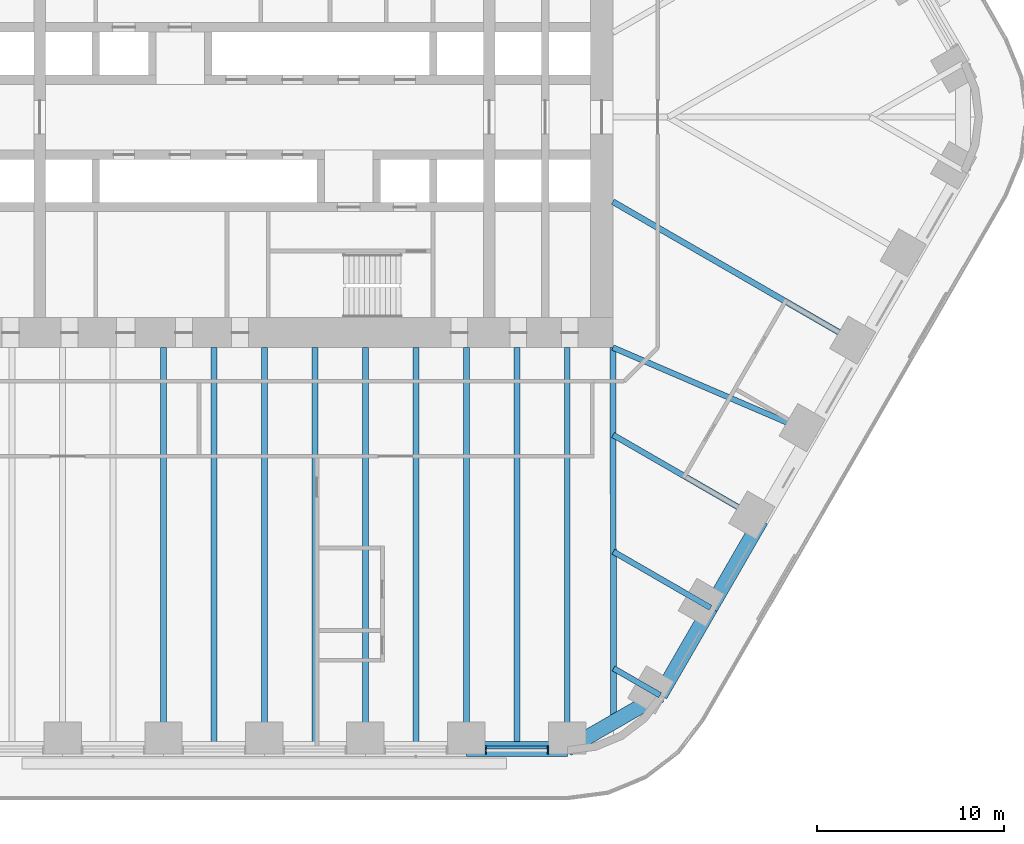
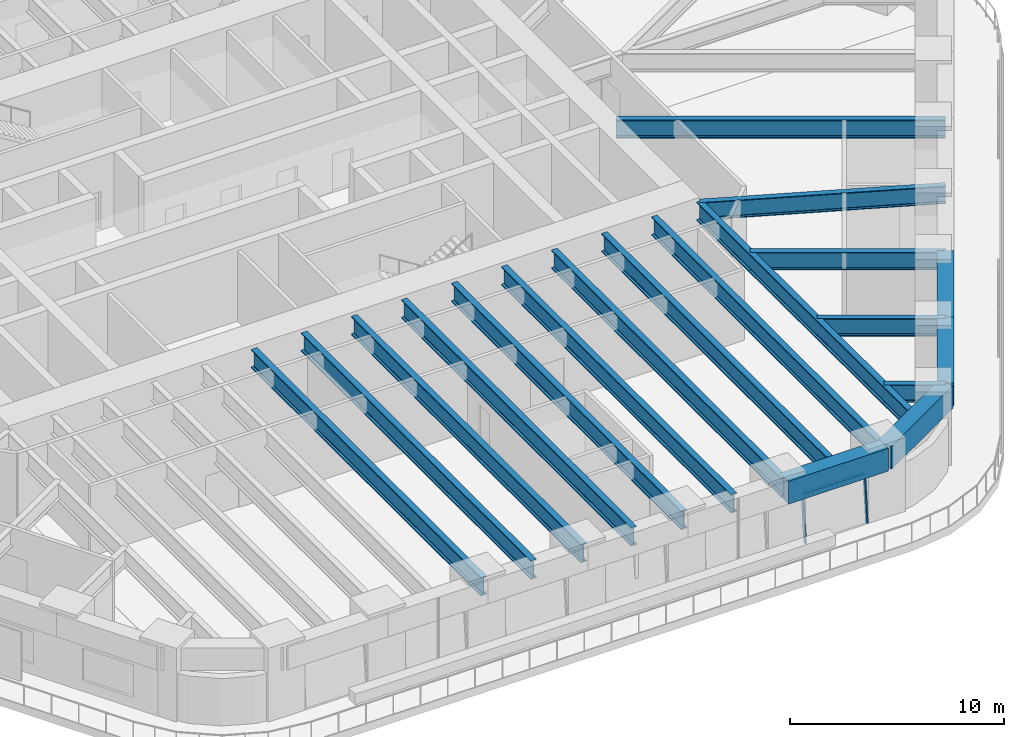
# One storey, part 5 of 23: 19 beams, 3 members, 1 element without a shape of its own.
"""IFC4 building model written with IfcOpenShell, lengths in metres."""

from ifc_helpers import new_model, si_unit, direction, frame, origin, origin_2d, place, context, subcontext, project, spatial, rectangle, i_section, extrude, material, material_profile, profile_set, type_object, element, aggregate, save


model = new_model("IFC4")

# Units and contexts
model_context = context("Model", 3, precision=1e-05, world=origin(), true_north=direction((0.0, 1.0)))
body_context = subcontext(model_context, "Body", "Model", "MODEL_VIEW")
ifc_project = project(units=[si_unit("LENGTHUNIT", "METRE"), si_unit("AREAUNIT", "SQUARE_METRE"), si_unit("VOLUMEUNIT", "CUBIC_METRE"), si_unit("PLANEANGLEUNIT", "RADIAN"), si_unit("MASSUNIT", "GRAM", prefix="KILO")], contexts=[model_context])

# Site, building, storey
site_placement = place(None, origin())
site = spatial("IfcSite", under=ifc_project, at=site_placement, CompositionType="ELEMENT")
building_placement = place(site_placement, origin())
building = spatial("IfcBuilding", under=site, at=building_placement, Name="Tarfa Lantern Tower", CompositionType="ELEMENT")
storey_placement = place(building_placement, frame((0.0, 0.0, 82.300048828125)))
storey = spatial("IfcBuildingStorey", under=building, at=storey_placement, Name="L18", CompositionType="ELEMENT", Elevation=82.300048828125)

# Curtain wall, members
ifc_material_1 = material(Name="Aluminium framed curtain wall", Category="aluminium")
curtain_wall_type = type_object("IfcCurtainWallType", Name="CW1 CANTED GLAZING LOW ZONE 2700", PredefinedType="USERDEFINED", material=ifc_material_1)
curtain_wall_placement = place(storey_placement, origin())
curtain_wall = element("IfcCurtainWall", 1, at=curtain_wall_placement, inside=storey, type_object=curtain_wall_type, Name="CW1 S L18", ObjectType="CURTAIN WALL", PredefinedType="USERDEFINED")
ifc_material_2 = material(Name="Aluminium mullion", Category="aluminium")
ifc_material_profile_1 = material_profile(ifc_material_2, rectangle(XDim=0.06494140625, YDim=0.199951171875, at=origin_2d()), Name="AL MULLION 65x200")
ifc_profile_set_1 = profile_set([ifc_material_profile_1], Name="Aluminium mullion")
member_type_1 = type_object("IfcMemberType", Name="CWM1 MULLION 65x200", PredefinedType="MULLION", material=ifc_profile_set_1)
member_1_placement = place(storey_placement, frame((11.809814453125, -33.89990234375, 0.0), z_axis=(0.0, 0.092199863775, 0.995740520979), x_axis=(-1.0, 0.0, 0.0)))
member_1 = element("IfcMember", 2, at=member_1_placement, type_object=member_type_1, Name="CW1 mullion 1", PredefinedType="MULLION", context=body_context, shape_type="SweptSolid", body=[
    extrude(rectangle(XDim=0.06494140625, YDim=0.199951171875, at=origin_2d()), origin(), (0.0, 0.0, 1.0), 2.71142578125),
])
member_2_placement = place(storey_placement, frame((15.13330078125, -33.89990234375, 0.0), z_axis=(0.0, 0.092199863775, 0.995740520979), x_axis=(-1.0, 0.0, 0.0)))
member_2 = element("IfcMember", 3, at=member_2_placement, type_object=member_type_1, Name="CW1 mullion 2", PredefinedType="MULLION", context=body_context, shape_type="SweptSolid", body=[
    extrude(rectangle(XDim=0.06494140625, YDim=0.199951171875, at=origin_2d()), origin(), (0.0, 0.0, 1.0), 2.71142578125),
])
ifc_material_3 = material(Name="Aluminium transom", Category="aluminium")
ifc_material_profile_2 = material_profile(ifc_material_3, rectangle(XDim=0.14990234375, YDim=0.06494140625, at=origin_2d()), Name="AL TRANSOM 150x65")
ifc_profile_set_2 = profile_set([ifc_material_profile_2], Name="Aluminium transom")
member_type_2 = type_object("IfcMemberType", Name="CWT1 TRANSOM 150x65", PredefinedType="USERDEFINED", material=ifc_profile_set_2)
member_3_placement = place(storey_placement, frame((11.84228515625, -33.653076171875, 2.66748046875), z_axis=(1.0, 0.0, 0.0), x_axis=(0.0, 1.0, 0.0)))
member_3 = element("IfcMember", 4, at=member_3_placement, type_object=member_type_2, Name="CW1 transom 1.2", ObjectType="TRANSOM", PredefinedType="USERDEFINED", context=body_context, shape_type="SweptSolid", body=[
    extrude(rectangle(XDim=0.14990234375, YDim=0.06494140625, at=origin_2d()), origin(), (0.0, 0.0, 1.0), 3.258544921875),
])
aggregate(curtain_wall, [member_1, member_2, member_3])

# Beams
ifc_material_4 = material(Name="Concrete C80/95", Category="concrete")
ifc_material_profile_3 = material_profile(ifc_material_4, rectangle(XDim=0.800048828125, YDim=1.300048828125, at=origin_2d()), Name="RC 800x1300")
ifc_profile_set_3 = profile_set([ifc_material_profile_3], Name="Concrete C80/95")
beam_type_1 = type_object("IfcBeamType", Name="EB1 RC 800x1300", PredefinedType="SPANDREL", material=ifc_profile_set_3)
beam_1_placement = place(storey_placement, frame((10.777099609375, -33.719970703125, 3.349853515625), z_axis=(1.0, 0.0, 0.0), x_axis=(0.0, 1.0, 0.0)))
element("IfcBeam", 5, at=beam_1_placement, inside=storey, type_object=beam_type_1, Name="Edge beam S5", PredefinedType="SPANDREL", context=body_context, shape_type="SweptSolid", body=[
    extrude(rectangle(XDim=0.800048828125, YDim=1.300048828125, at=origin_2d()), origin(), (0.0, 0.0, 1.0), 5.388671875),
])
beam_2_placement = place(storey_placement, frame((16.165771484375, -33.719970703125, 3.349853515625), z_axis=(0.866033479681, 0.499986011877, 0.0), x_axis=(-0.499986011877, 0.866033479681, 0.0)))
element("IfcBeam", 6, at=beam_2_placement, inside=storey, type_object=beam_type_1, Name="Edge beam S6", PredefinedType="SPANDREL", context=body_context, shape_type="SweptSolid", body=[
    extrude(rectangle(XDim=0.800048828125, YDim=1.300048828125, at=origin_2d()), origin(), (0.0, 0.0, 1.0), 5.719970703125),
])
for number, where, z_axis, x_axis, name in (
    (7, (21.119384765625, -30.860107421875, 3.349853515625), (0.499998287579, 0.866026392449, 0.0), (-0.866026392449, 0.499998287579, 0.0), "Edge beam SE0"),
    (8, (23.813720703125, -26.193359375, 3.349853515625), (0.499998287579, 0.866026392449, 0.0), (-0.866026392449, 0.499998287579, 0.0), "Edge beam SE1"),
):
    element("IfcBeam", number, at=place(storey_placement, frame(where, z_axis=z_axis, x_axis=x_axis)), inside=storey, type_object=beam_type_1, Name=name, PredefinedType="SPANDREL", context=body_context, shape_type="SweptSolid", body=[
        extrude(rectangle(XDim=0.800048828125, YDim=1.300048828125, at=origin_2d()), origin(), (0.0, 0.0, 1.0), 5.388671875),
    ])
ifc_material_5 = material(Name="Steel S460M", Category="steel")
ifc_material_profile_4 = material_profile(ifc_material_5, i_section(OverallWidth=0.302001953125, OverallDepth=1.008056640625, WebThickness=0.02099609375, FlangeThickness=0.0400390625, FilletRadius=0.030029296875, at=origin_2d()), Name="UB1016x305x349")
ifc_profile_set_4 = profile_set([ifc_material_profile_4], Name="Steel S460M")
beam_type_2 = type_object("IfcBeamType", Name="UB1016x305x349", PredefinedType="BEAM", material=ifc_profile_set_4)
beam_3_placement = place(storey_placement, frame((21.119384765625, -30.860107421875, 3.495849609375), z_axis=(-0.866012580594, 0.500022209759, 0.0), x_axis=(-0.500022209759, -0.866012580594, 0.0)))
element("IfcBeam", 9, at=beam_3_placement, inside=storey, type_object=beam_type_2, Name="Floor beam SE0", PredefinedType="BEAM", context=body_context, shape_type="SweptSolid", body=[
    extrude(i_section(OverallWidth=0.302001953125, OverallDepth=1.008056640625, WebThickness=0.02099609375, FlangeThickness=0.0400390625, FilletRadius=0.030029296875, at=origin_2d()), origin(), (0.0, 0.0, 1.0), 2.866943359375),
])
beam_4_placement = place(storey_placement, frame((23.813720703125, -26.193359375, 3.495849609375), z_axis=(-0.866015997389, 0.500016292001, 0.0), x_axis=(-0.500016292001, -0.866015997389, 0.0)))
element("IfcBeam", 10, at=beam_4_placement, inside=storey, type_object=beam_type_2, Name="Floor beam SE1", PredefinedType="BEAM", context=body_context, shape_type="SweptSolid", body=[
    extrude(i_section(OverallWidth=0.302001953125, OverallDepth=1.008056640625, WebThickness=0.02099609375, FlangeThickness=0.0400390625, FilletRadius=0.030029296875, at=origin_2d()), origin(), (0.0, 0.0, 1.0), 5.993408203125),
])
beam_5_placement = place(storey_placement, frame((26.508056640625, -21.526611328125, 3.495849609375), z_axis=(-0.866035355799, 0.49998276221, 0.0), x_axis=(-0.49998276221, -0.866035355799, 0.0)))
element("IfcBeam", 11, at=beam_5_placement, inside=storey, type_object=beam_type_2, Name="Floor beam SE2", PredefinedType="BEAM", context=body_context, shape_type="SweptSolid", body=[
    extrude(i_section(OverallWidth=0.302001953125, OverallDepth=1.008056640625, WebThickness=0.02099609375, FlangeThickness=0.0400390625, FilletRadius=0.030029296875, at=origin_2d()), origin(), (0.0, 0.0, 1.0), 9.119873046875),
])
beam_6_placement = place(storey_placement, frame((29.202392578125, -16.860107421875, 3.495849609375), z_axis=(-0.918635483867, 0.395106122175, 0.0), x_axis=(-0.395106122175, -0.918635483867, 0.0)))
element("IfcBeam", 12, at=beam_6_placement, inside=storey, type_object=beam_type_2, Name="Floor beam SE3", PredefinedType="BEAM", context=body_context, shape_type="SweptSolid", body=[
    extrude(i_section(OverallWidth=0.302001953125, OverallDepth=1.008056640625, WebThickness=0.02099609375, FlangeThickness=0.0400390625, FilletRadius=0.030029296875, at=origin_2d()), origin(), (0.0, 0.0, 1.0), 11.541259765625),
])
ifc_material_profile_5 = material_profile(ifc_material_5, i_section(OverallWidth=0.314208984375, OverallDepth=1.055908203125, WebThickness=0.035888671875, FlangeThickness=0.06396484375, FilletRadius=0.030029296875, at=origin_2d()), Name="UB1016x305x584")
ifc_profile_set_5 = profile_set([ifc_material_profile_5], Name="Steel S460M")
beam_type_3 = type_object("IfcBeamType", Name="UB1016x305x584", PredefinedType="BEAM", material=ifc_profile_set_5)
beam_7_placement = place(storey_placement, frame((18.60009765625, -12.300048828125, 3.471923828125), z_axis=(0.00212508222, -0.99999774201, 0.0), x_axis=(0.99999774201, 0.00212508222, 0.0)))
element("IfcBeam", 13, at=beam_7_placement, inside=storey, type_object=beam_type_3, Name="Hip girder SE", PredefinedType="BEAM", context=body_context, shape_type="SweptSolid", body=[
    extrude(i_section(OverallWidth=0.314208984375, OverallDepth=1.055908203125, WebThickness=0.035888671875, FlangeThickness=0.06396484375, FilletRadius=0.030029296875, at=origin_2d()), origin(), (0.0, 0.0, 1.0), 19.989990234375),
])
for number, where, z_axis, x_axis, name in (
    (14, (-5.388671875, -33.719970703125, 3.471923828125), (0.0, 1.0, 0.0), (-1.0, 0.0, 0.0), "Floor beam S2"),
    (15, (0.0, -33.719970703125, 3.471923828125), (0.0, 1.0, 0.0), (-1.0, 0.0, 0.0), "Floor beam S3"),
    (16, (5.388671875, -33.719970703125, 3.471923828125), (0.0, 1.0, 0.0), (-1.0, 0.0, 0.0), "Floor beam S4"),
    (17, (10.777099609375, -33.719970703125, 3.471923828125), (0.0, 1.0, 0.0), (-1.0, 0.0, 0.0), "Floor beam S5"),
    (18, (16.165771484375, -33.719970703125, 3.471923828125), (0.0, 1.0, 0.0), (-1.0, 0.0, 0.0), "Floor beam S6"),
):
    element("IfcBeam", number, at=place(storey_placement, frame(where, z_axis=z_axis, x_axis=x_axis)), inside=storey, type_object=beam_type_3, Name=name, PredefinedType="BEAM", context=body_context, shape_type="SweptSolid", body=[
        extrude(i_section(OverallWidth=0.314208984375, OverallDepth=1.055908203125, WebThickness=0.035888671875, FlangeThickness=0.06396484375, FilletRadius=0.030029296875, at=origin_2d()), origin(), (0.0, 0.0, 1.0), 21.419921875),
    ])
beam_8_placement = place(storey_placement, frame((31.896728515625, -12.193359375, 3.471923828125), z_axis=(-0.866026971665, 0.499997284341, 0.0), x_axis=(-0.499997284341, -0.866026971665, 0.0)))
element("IfcBeam", 19, at=beam_8_placement, inside=storey, type_object=beam_type_3, Name="Floor beam SE4", PredefinedType="BEAM", context=body_context, shape_type="SweptSolid", body=[
    extrude(i_section(OverallWidth=0.314208984375, OverallDepth=1.055908203125, WebThickness=0.035888671875, FlangeThickness=0.06396484375, FilletRadius=0.030029296875, at=origin_2d()), origin(), (0.0, 0.0, 1.0), 15.353515625),
])
for number, where, z_axis, x_axis, name in (
    (20, (-2.6943359375, -33.719970703125, 3.471923828125), (0.0, 1.0, 0.0), (-1.0, 0.0, 0.0), "Floor beam S2M"),
    (21, (2.6943359375, -33.719970703125, 3.471923828125), (0.0, 1.0, 0.0), (-1.0, 0.0, 0.0), "Floor beam S3M"),
    (22, (8.0830078125, -33.719970703125, 3.471923828125), (0.0, 1.0, 0.0), (-1.0, 0.0, 0.0), "Floor beam S4M"),
    (23, (13.471435546875, -33.719970703125, 3.471923828125), (0.0, 1.0, 0.0), (-1.0, 0.0, 0.0), "Floor beam S5M"),
):
    element("IfcBeam", number, at=place(storey_placement, frame(where, z_axis=z_axis, x_axis=x_axis)), inside=storey, type_object=beam_type_3, Name=name, PredefinedType="BEAM", context=body_context, shape_type="SweptSolid", body=[
        extrude(i_section(OverallWidth=0.314208984375, OverallDepth=1.055908203125, WebThickness=0.035888671875, FlangeThickness=0.06396484375, FilletRadius=0.030029296875, at=origin_2d()), origin(), (0.0, 0.0, 1.0), 21.419921875),
    ])

save(model, "model.ifc")
